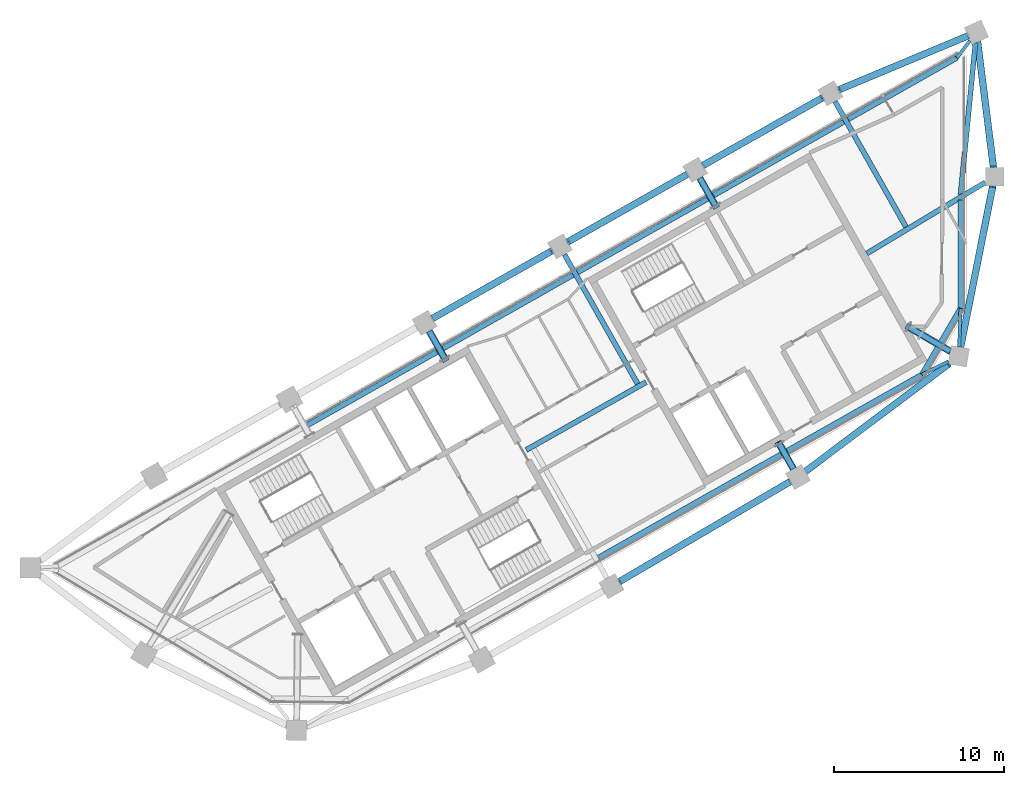
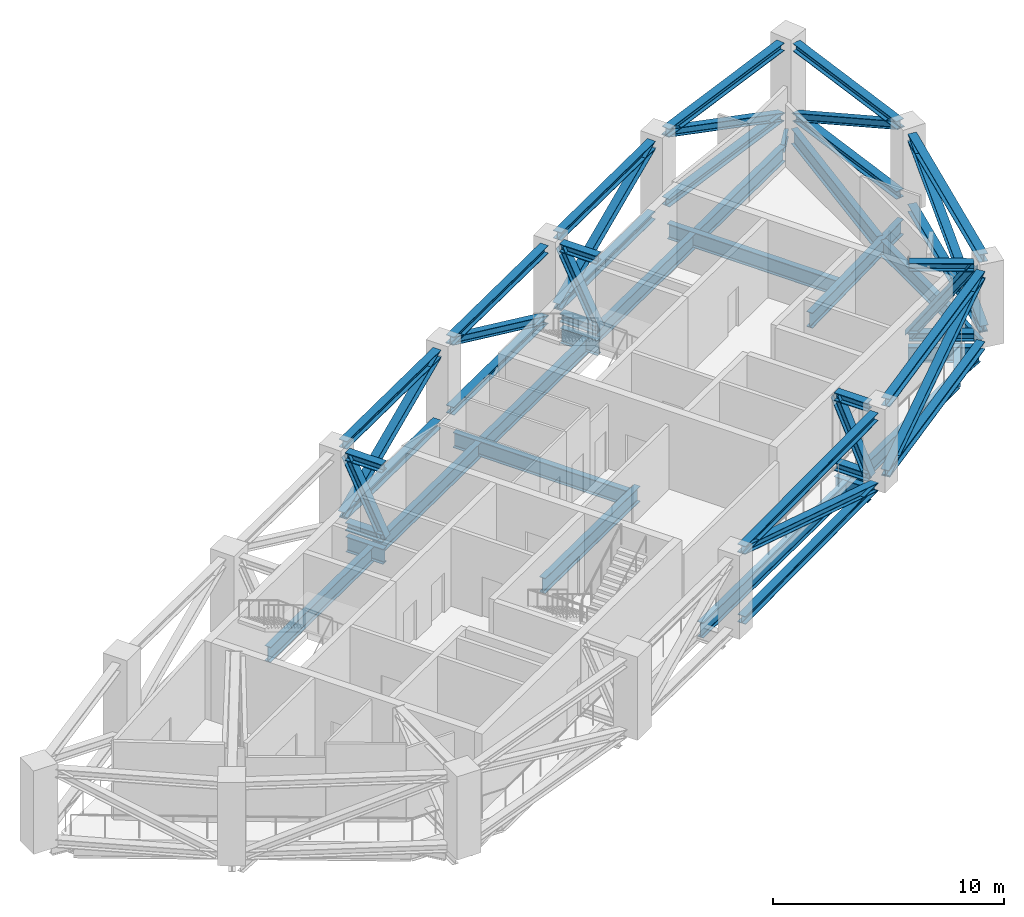
# One storey, part 2 of 10: 36 members, 22 beams.
"""IFC4 building model written with IfcOpenShell, lengths in metres."""

from ifc_helpers import new_model, si_unit, direction, frame, origin, origin_2d, place, context, subcontext, project, spatial, i_section, extrude, material, material_profile, profile_set, type_object, element, save


model = new_model("IFC4")

# Units and contexts
model_context = context("Model", 3, precision=1e-05, world=origin(), true_north=direction((0.0, 1.0)))
body_context = subcontext(model_context, "Body", "Model", "MODEL_VIEW")
ifc_project = project(units=[si_unit("LENGTHUNIT", "METRE"), si_unit("AREAUNIT", "SQUARE_METRE"), si_unit("VOLUMEUNIT", "CUBIC_METRE"), si_unit("PLANEANGLEUNIT", "RADIAN"), si_unit("MASSUNIT", "GRAM", prefix="KILO")], contexts=[model_context])

# Site, building, storey
site_placement = place(None, origin())
site = spatial("IfcSite", under=ifc_project, at=site_placement, CompositionType="ELEMENT")
building_placement = place(site_placement, origin())
building = spatial("IfcBuilding", under=site, at=building_placement, Name="Binnacle Exchange Tower", CompositionType="ELEMENT")
storey_placement = place(building_placement, frame((0.0, 0.0, 312.10009765625)))
storey = spatial("IfcBuildingStorey", under=building, at=storey_placement, Name="L70", CompositionType="ELEMENT", Elevation=312.10009765625)

# Members
ifc_material = material(Name="Steel S355 (SHN355)", Category="steel")
ifc_material_profile_1 = material_profile(ifc_material, i_section(OverallWidth=0.405029296875, OverallDepth=0.4140625, WebThickness=0.01806640625, FlangeThickness=0.028076171875, FilletRadius=0.02197265625, at=origin_2d()), Name="H 414x405x18x28")
ifc_profile_set_1 = profile_set([ifc_material_profile_1], Name="Steel S355 (SHN355)")
member_type_1 = type_object("IfcMemberType", Name="Belt truss chord BT70C H 414x405x18x28 Steel S355 (SHN355)", PredefinedType="CHORD", material=ifc_profile_set_1)
for number, where, z_axis, x_axis, name in (
    (1, (-2.84765625, 49.9951171875, 3.912841796875), (0.195814210945, 0.980641012191, 0.0), (-0.980641012191, 0.195814210945, 0.0), "S:TR:L70:BEL:001"),
    (2, (-2.84765625, 49.9951171875, 0.206787109375), (0.195814210945, 0.980641012191, 0.0), (-0.980641012191, 0.195814210945, 0.0), "S:TR:L70:BEL:002"),
):
    element("IfcMember", number, at=place(storey_placement, frame(where, z_axis=z_axis, x_axis=x_axis)), inside=storey, type_object=member_type_1, Name=name, PredefinedType="CHORD", context=body_context, shape_type="SweptSolid", body=[
        extrude(i_section(OverallWidth=0.405029296875, OverallDepth=0.4140625, WebThickness=0.01806640625, FlangeThickness=0.028076171875, FilletRadius=0.02197265625, at=origin_2d()), origin(), (0.0, 0.0, 1.0), 9.6416015625),
    ])
for number, where, z_axis, x_axis, name in (
    (3, (-0.91943359375, 60.550048828125, 3.912841796875), (-0.125160121745, 0.992136555079, 0.0), (-0.992136555079, -0.125160121745, 0.0), "S:TR:L70:BEL:004"),
    (4, (-0.91943359375, 60.550048828125, 0.206787109375), (-0.125160121745, 0.992136555079, 0.0), (-0.992136555079, -0.125160121745, 0.0), "S:TR:L70:BEL:005"),
):
    element("IfcMember", number, at=place(storey_placement, frame(where, z_axis=z_axis, x_axis=x_axis)), inside=storey, type_object=member_type_1, Name=name, PredefinedType="CHORD", context=body_context, shape_type="SweptSolid", body=[
        extrude(i_section(OverallWidth=0.405029296875, OverallDepth=0.4140625, WebThickness=0.01806640625, FlangeThickness=0.028076171875, FilletRadius=0.02197265625, at=origin_2d()), origin(), (0.0, 0.0, 1.0), 7.422119140625),
    ])
for number, where, z_axis, x_axis, name in (
    (5, (-2.427734375, 68.271240234375, 3.912841796875), (-0.922746687756, -0.385406992977, 0.0), (0.385406992977, -0.922746687756, 0.0), "S:TR:L70:BEL:007"),
    (6, (-2.427734375, 68.271240234375, 0.206787109375), (-0.922746687756, -0.385406992977, 0.0), (0.385406992977, -0.922746687756, 0.0), "S:TR:L70:BEL:008"),
):
    element("IfcMember", number, at=place(storey_placement, frame(where, z_axis=z_axis, x_axis=x_axis)), inside=storey, type_object=member_type_1, Name=name, PredefinedType="CHORD", context=body_context, shape_type="SweptSolid", body=[
        extrude(i_section(OverallWidth=0.405029296875, OverallDepth=0.4140625, WebThickness=0.01806640625, FlangeThickness=0.028076171875, FilletRadius=0.02197265625, at=origin_2d()), origin(), (0.0, 0.0, 1.0), 8.188720703125),
    ])
for number, where, z_axis, x_axis, name in (
    (7, (-10.973876953125, 64.630859375, 3.912841796875), (-0.870353240257, -0.492427900482, 0.0), (0.492427900482, -0.870353240257, 0.0), "S:TR:L70:BEL:010"),
    (8, (-10.973876953125, 64.630859375, 0.206787109375), (-0.870353240257, -0.492427900482, 0.0), (0.492427900482, -0.870353240257, 0.0), "S:TR:L70:BEL:011"),
):
    element("IfcMember", number, at=place(storey_placement, frame(where, z_axis=z_axis, x_axis=x_axis)), inside=storey, type_object=member_type_1, Name=name, PredefinedType="CHORD", context=body_context, shape_type="SweptSolid", body=[
        extrude(i_section(OverallWidth=0.405029296875, OverallDepth=0.4140625, WebThickness=0.01806640625, FlangeThickness=0.028076171875, FilletRadius=0.02197265625, at=origin_2d()), origin(), (0.0, 0.0, 1.0), 8.02978515625),
    ])
for number, where, z_axis, x_axis, name in (
    (9, (-18.919921875, 60.13525390625, 3.912841796875), (-0.870347582166, -0.492437900875, 0.0), (0.492437900875, -0.870347582166, 0.0), "S:TR:L70:BEL:013"),
    (10, (-18.919921875, 60.13525390625, 0.206787109375), (-0.870347582166, -0.492437900875, 0.0), (0.492437900875, -0.870347582166, 0.0), "S:TR:L70:BEL:014"),
):
    element("IfcMember", number, at=place(storey_placement, frame(where, z_axis=z_axis, x_axis=x_axis)), inside=storey, type_object=member_type_1, Name=name, PredefinedType="CHORD", context=body_context, shape_type="SweptSolid", body=[
        extrude(i_section(OverallWidth=0.405029296875, OverallDepth=0.4140625, WebThickness=0.01806640625, FlangeThickness=0.028076171875, FilletRadius=0.02197265625, at=origin_2d()), origin(), (0.0, 0.0, 1.0), 8.030029296875),
    ])
for number, where, z_axis, x_axis, name in (
    (11, (-26.8662109375, 55.639404296875, 3.912841796875), (-0.870353240257, -0.492427900482, 0.0), (0.492427900482, -0.870353240257, 0.0), "S:TR:L70:BEL:016"),
    (12, (-26.8662109375, 55.639404296875, 0.206787109375), (-0.870353240257, -0.492427900482, 0.0), (0.492427900482, -0.870353240257, 0.0), "S:TR:L70:BEL:017"),
):
    element("IfcMember", number, at=place(storey_placement, frame(where, z_axis=z_axis, x_axis=x_axis)), inside=storey, type_object=member_type_1, Name=name, PredefinedType="CHORD", context=body_context, shape_type="SweptSolid", body=[
        extrude(i_section(OverallWidth=0.405029296875, OverallDepth=0.4140625, WebThickness=0.01806640625, FlangeThickness=0.028076171875, FilletRadius=0.02197265625, at=origin_2d()), origin(), (0.0, 0.0, 1.0), 8.02978515625),
    ])
for number, where, z_axis, x_axis, name in (
    (13, (-22.88134765625, 36.22412109375, 3.912841796875), (0.86288572191, 0.50539908085, 0.0), (-0.50539908085, 0.86288572191, 0.0), "S:TR:L70:BEL:040"),
    (14, (-22.88134765625, 36.22412109375, 0.206787109375), (0.86288572191, 0.50539908085, 0.0), (-0.50539908085, 0.86288572191, 0.0), "S:TR:L70:BEL:041"),
):
    element("IfcMember", number, at=place(storey_placement, frame(where, z_axis=z_axis, x_axis=x_axis)), inside=storey, type_object=member_type_1, Name=name, PredefinedType="CHORD", context=body_context, shape_type="SweptSolid", body=[
        extrude(i_section(OverallWidth=0.405029296875, OverallDepth=0.4140625, WebThickness=0.01806640625, FlangeThickness=0.028076171875, FilletRadius=0.02197265625, at=origin_2d()), origin(), (0.0, 0.0, 1.0), 11.596923828125),
    ])
for number, where, z_axis, x_axis, name in (
    (15, (-11.95654296875, 42.6962890625, 3.912841796875), (0.799642767002, 0.600476015493, 0.0), (-0.600476015493, 0.799642767002, 0.0), "S:TR:L70:BEL:043"),
    (16, (-11.95654296875, 42.6962890625, 0.206787109375), (0.799642767002, 0.600476015493, 0.0), (-0.600476015493, 0.799642767002, 0.0), "S:TR:L70:BEL:044"),
):
    element("IfcMember", number, at=place(storey_placement, frame(where, z_axis=z_axis, x_axis=x_axis)), inside=storey, type_object=member_type_1, Name=name, PredefinedType="CHORD", context=body_context, shape_type="SweptSolid", body=[
        extrude(i_section(OverallWidth=0.405029296875, OverallDepth=0.4140625, WebThickness=0.01806640625, FlangeThickness=0.028076171875, FilletRadius=0.02197265625, at=origin_2d()), origin(), (0.0, 0.0, 1.0), 10.50146484375),
    ])
ifc_material_profile_2 = material_profile(ifc_material, i_section(OverallWidth=0.39794921875, OverallDepth=0.39404296875, WebThickness=0.010986328125, FlangeThickness=0.01806640625, FilletRadius=0.02197265625, at=origin_2d()), Name="H 394x398x11x18")
ifc_profile_set_2 = profile_set([ifc_material_profile_2], Name="Steel S355 (SHN355)")
member_type_2 = type_object("IfcMemberType", Name="Belt truss diagonal BT70D H 394x398x11x18 Steel S355 (SHN355)", PredefinedType="BRACE", material=ifc_profile_set_2)
member_1_placement = place(storey_placement, frame((-2.84765625, 49.9951171875, 0.206787109375), z_axis=(0.182776355131, 0.915347200976, 0.358792845065), x_axis=(-0.980641012191, 0.195814210945, 0.0)))
element("IfcMember", 17, at=member_1_placement, inside=storey, type_object=member_type_2, Name="S:TR:L70:BEL:003", PredefinedType="BRACE", context=body_context, shape_type="SweptSolid", body=[
    extrude(i_section(OverallWidth=0.39794921875, OverallDepth=0.39404296875, WebThickness=0.010986328125, FlangeThickness=0.01806640625, FilletRadius=0.02197265625, at=origin_2d()), origin(), (0.0, 0.0, 1.0), 10.329345703125),
])
member_2_placement = place(storey_placement, frame((-0.91943359375, 60.550048828125, 3.912841796875), z_axis=(-0.111976845023, 0.88763353471, -0.446730225346), x_axis=(-0.992136555079, -0.125160121745, 0.0)))
element("IfcMember", 18, at=member_2_placement, inside=storey, type_object=member_type_2, Name="S:TR:L70:BEL:006", PredefinedType="BRACE", context=body_context, shape_type="SweptSolid", body=[
    extrude(i_section(OverallWidth=0.39794921875, OverallDepth=0.39404296875, WebThickness=0.010986328125, FlangeThickness=0.01806640625, FilletRadius=0.02197265625, at=origin_2d()), origin(), (0.0, 0.0, 1.0), 8.2958984375),
])
member_3_placement = place(storey_placement, frame((-2.427734375, 68.271240234375, 0.206787109375), z_axis=(-0.840659542963, -0.35112135418, 0.41231702301), x_axis=(0.385406992977, -0.922746687756, 0.0)))
element("IfcMember", 19, at=member_3_placement, inside=storey, type_object=member_type_2, Name="S:TR:L70:BEL:009", PredefinedType="BRACE", context=body_context, shape_type="SweptSolid", body=[
    extrude(i_section(OverallWidth=0.39794921875, OverallDepth=0.39404296875, WebThickness=0.010986328125, FlangeThickness=0.01806640625, FilletRadius=0.02197265625, at=origin_2d()), origin(), (0.0, 0.0, 1.0), 8.98828125),
])
member_4_placement = place(storey_placement, frame((-10.973876953125, 64.630859375, 3.912841796875), z_axis=(-0.790245789497, -0.447104758146, -0.419057188729), x_axis=(0.492427900482, -0.870353240257, 0.0)))
element("IfcMember", 20, at=member_4_placement, inside=storey, type_object=member_type_2, Name="S:TR:L70:BEL:012", PredefinedType="BRACE", context=body_context, shape_type="SweptSolid", body=[
    extrude(i_section(OverallWidth=0.39794921875, OverallDepth=0.39404296875, WebThickness=0.010986328125, FlangeThickness=0.01806640625, FilletRadius=0.02197265625, at=origin_2d()), origin(), (0.0, 0.0, 1.0), 8.84375),
])
member_5_placement = place(storey_placement, frame((-18.919921875, 60.13525390625, 0.206787109375), z_axis=(-0.79024640188, -0.447117091251, 0.419042874927), x_axis=(0.492437900875, -0.870347582166, 0.0)))
element("IfcMember", 21, at=member_5_placement, inside=storey, type_object=member_type_2, Name="S:TR:L70:BEL:015", PredefinedType="BRACE", context=body_context, shape_type="SweptSolid", body=[
    extrude(i_section(OverallWidth=0.39794921875, OverallDepth=0.39404296875, WebThickness=0.010986328125, FlangeThickness=0.01806640625, FilletRadius=0.02197265625, at=origin_2d()), origin(), (0.0, 0.0, 1.0), 8.843994140625),
])
member_6_placement = place(storey_placement, frame((-26.8662109375, 55.639404296875, 3.912841796875), z_axis=(-0.790245789497, -0.447104758146, -0.419057188729), x_axis=(0.492427900482, -0.870353240257, 0.0)))
element("IfcMember", 22, at=member_6_placement, inside=storey, type_object=member_type_2, Name="S:TR:L70:BEL:018", PredefinedType="BRACE", context=body_context, shape_type="SweptSolid", body=[
    extrude(i_section(OverallWidth=0.39794921875, OverallDepth=0.39404296875, WebThickness=0.010986328125, FlangeThickness=0.01806640625, FilletRadius=0.02197265625, at=origin_2d()), origin(), (0.0, 0.0, 1.0), 8.84375),
])
member_7_placement = place(storey_placement, frame((-22.88134765625, 36.22412109375, 3.912841796875), z_axis=(0.821935320542, 0.48141410267, -0.304405634962), x_axis=(-0.50539908085, 0.86288572191, 0.0)))
element("IfcMember", 23, at=member_7_placement, inside=storey, type_object=member_type_2, Name="S:TR:L70:BEL:042", PredefinedType="BRACE", context=body_context, shape_type="SweptSolid", body=[
    extrude(i_section(OverallWidth=0.39794921875, OverallDepth=0.39404296875, WebThickness=0.010986328125, FlangeThickness=0.01806640625, FilletRadius=0.02197265625, at=origin_2d()), origin(), (0.0, 0.0, 1.0), 12.1748046875),
])
member_8_placement = place(storey_placement, frame((-11.95654296875, 42.6962890625, 0.206787109375), z_axis=(0.7540635698, 0.566249213408, 0.332791167274), x_axis=(-0.600476015493, 0.799642767002, 0.0)))
element("IfcMember", 24, at=member_8_placement, inside=storey, type_object=member_type_2, Name="S:TR:L70:BEL:045", PredefinedType="BRACE", context=body_context, shape_type="SweptSolid", body=[
    extrude(i_section(OverallWidth=0.39794921875, OverallDepth=0.39404296875, WebThickness=0.010986328125, FlangeThickness=0.01806640625, FilletRadius=0.02197265625, at=origin_2d()), origin(), (0.0, 0.0, 1.0), 11.13623046875),
])

# Beams
ifc_material_profile_3 = material_profile(ifc_material, i_section(OverallWidth=0.300048828125, OverallDepth=0.800048828125, WebThickness=0.013916015625, FlangeThickness=0.02587890625, FilletRadius=0.028076171875, at=origin_2d()), Name="H 800x300x14x26")
ifc_profile_set_3 = profile_set([ifc_material_profile_3], Name="Steel S355 (SHN355)")
beam_type_1 = type_object("IfcBeamType", Name="Edge girder H 800x300x14x26 Steel S355 (SHN355)", PredefinedType="SPANDREL", material=ifc_profile_set_3)
beam_1_placement = place(storey_placement, frame((-41.24365234375, 45.390869140625, -0.75), z_axis=(0.870348532608, 0.492436221035, 0.0), x_axis=(-0.492436221035, 0.870348532608, 0.0)))
element("IfcBeam", 25, at=beam_1_placement, inside=storey, type_object=beam_type_1, Name="S:BM:edge:L70:008", PredefinedType="SPANDREL", context=body_context, shape_type="SweptSolid", body=[
    extrude(i_section(OverallWidth=0.300048828125, OverallDepth=0.800048828125, WebThickness=0.013916015625, FlangeThickness=0.02587890625, FilletRadius=0.028076171875, at=origin_2d()), origin(), (0.0, 0.0, 1.0), 8.829833984375),
])
for number, where, z_axis, x_axis, name in (
    (26, (-33.29736328125, 49.88671875, -0.75), (0.870355237169, 0.492424370977, 0.0), (-0.492424370977, 0.870355237169, 0.0), "S:BM:edge:L70:010"),
    (27, (-25.35107421875, 54.382568359375, -0.75), (0.870355237169, 0.492424370977, 0.0), (-0.492424370977, 0.870355237169, 0.0), "S:BM:edge:L70:012"),
    (28, (-17.40478515625, 58.87841796875, -0.75), (0.870355237169, 0.492424370977, 0.0), (-0.492424370977, 0.870355237169, 0.0), "S:BM:edge:L70:014"),
):
    element("IfcBeam", number, at=place(storey_placement, frame(where, z_axis=z_axis, x_axis=x_axis)), inside=storey, type_object=beam_type_1, Name=name, PredefinedType="SPANDREL", context=body_context, shape_type="SweptSolid", body=[
        extrude(i_section(OverallWidth=0.300048828125, OverallDepth=0.800048828125, WebThickness=0.013916015625, FlangeThickness=0.02587890625, FilletRadius=0.028076171875, at=origin_2d()), origin(), (0.0, 0.0, 1.0), 8.830078125),
    ])
beam_2_placement = place(storey_placement, frame((-13.34326171875, 43.725341796875, -0.75), z_axis=(-0.87035035676, -0.492432996953, 0.0), x_axis=(0.492432996953, -0.87035035676, 0.0)))
element("IfcBeam", 29, at=beam_2_placement, inside=storey, type_object=beam_type_1, Name="S:BM:edge:L70:015", PredefinedType="SPANDREL", context=body_context, shape_type="SweptSolid", body=[
    extrude(i_section(OverallWidth=0.300048828125, OverallDepth=0.800048828125, WebThickness=0.013916015625, FlangeThickness=0.02587890625, FilletRadius=0.028076171875, at=origin_2d()), origin(), (0.0, 0.0, 1.0), 12.39501953125),
])
beam_3_placement = place(storey_placement, frame((-9.458251953125, 63.374267578125, -0.75), z_axis=(0.870357156226, 0.492420979047, 0.0), x_axis=(-0.492420979047, 0.870357156226, 0.0)))
element("IfcBeam", 30, at=beam_3_placement, inside=storey, type_object=beam_type_1, Name="S:BM:edge:L70:016", PredefinedType="SPANDREL", context=body_context, shape_type="SweptSolid", body=[
    extrude(i_section(OverallWidth=0.300048828125, OverallDepth=0.800048828125, WebThickness=0.013916015625, FlangeThickness=0.02587890625, FilletRadius=0.028076171875, at=origin_2d()), origin(), (0.0, 0.0, 1.0), 7.34228515625),
])
beam_4_placement = place(storey_placement, frame((-5.1201171875, 48.377685546875, -0.75), z_axis=(-0.870355488249, -0.492423927195, 0.0), x_axis=(0.492423927195, -0.870355488249, 0.0)))
element("IfcBeam", 31, at=beam_4_placement, inside=storey, type_object=beam_type_1, Name="S:BM:edge:L70:017", PredefinedType="SPANDREL", context=body_context, shape_type="SweptSolid", body=[
    extrude(i_section(OverallWidth=0.300048828125, OverallDepth=0.800048828125, WebThickness=0.013916015625, FlangeThickness=0.02587890625, FilletRadius=0.028076171875, at=origin_2d()), origin(), (0.0, 0.0, 1.0), 9.14794921875),
])
beam_5_placement = place(storey_placement, frame((-4.177490234375, 49.994140625, -0.75), z_axis=(-0.503749337532, -0.863849874073, 0.0), x_axis=(0.863849874073, -0.503749337532, 0.0)))
element("IfcBeam", 32, at=beam_5_placement, inside=storey, type_object=beam_type_1, Name="S:BM:edge:L70:018", PredefinedType="SPANDREL", context=body_context, shape_type="SweptSolid", body=[
    extrude(i_section(OverallWidth=0.300048828125, OverallDepth=0.800048828125, WebThickness=0.013916015625, FlangeThickness=0.02587890625, FilletRadius=0.028076171875, at=origin_2d()), origin(), (0.0, 0.0, 1.0), 1.871337890625),
])
beam_6_placement = place(storey_placement, frame((-2.85009765625, 52.270263671875, -0.75), z_axis=(-0.503799507081, -0.863820616022, 0.0), x_axis=(0.863820616022, -0.503799507081, 0.0)))
element("IfcBeam", 33, at=beam_6_placement, inside=storey, type_object=beam_type_1, Name="S:BM:edge:L70:019", PredefinedType="SPANDREL", context=body_context, shape_type="SweptSolid", body=[
    extrude(i_section(OverallWidth=0.300048828125, OverallDepth=0.800048828125, WebThickness=0.013916015625, FlangeThickness=0.02587890625, FilletRadius=0.028076171875, at=origin_2d()), origin(), (0.0, 0.0, 1.0), 2.334716796875),
])
beam_7_placement = place(storey_placement, frame((-2.85009765625, 58.6494140625, -0.75), z_axis=(0.0, -1.0, 0.0), x_axis=(1.0, 0.0, 0.0)))
element("IfcBeam", 34, at=beam_7_placement, inside=storey, type_object=beam_type_1, Name="S:BM:edge:L70:020", PredefinedType="SPANDREL", context=body_context, shape_type="SweptSolid", body=[
    extrude(i_section(OverallWidth=0.300048828125, OverallDepth=0.800048828125, WebThickness=0.013916015625, FlangeThickness=0.02587890625, FilletRadius=0.028076171875, at=origin_2d()), origin(), (0.0, 0.0, 1.0), 6.379150390625),
])
beam_8_placement = place(storey_placement, frame((-1.9814453125, 67.85498046875, -0.75), z_axis=(-0.097080187835, -0.995276563137, 0.0), x_axis=(0.995276563137, -0.097080187835, 0.0)))
element("IfcBeam", 35, at=beam_8_placement, inside=storey, type_object=beam_type_1, Name="S:BM:edge:L70:021", PredefinedType="SPANDREL", context=body_context, shape_type="SweptSolid", body=[
    extrude(i_section(OverallWidth=0.300048828125, OverallDepth=0.800048828125, WebThickness=0.013916015625, FlangeThickness=0.02587890625, FilletRadius=0.028076171875, at=origin_2d()), origin(), (0.0, 0.0, 1.0), 8.94775390625),
])
ifc_material_profile_4 = material_profile(ifc_material, i_section(OverallWidth=0.199951171875, OverallDepth=0.39990234375, WebThickness=0.008056640625, FlangeThickness=0.012939453125, FilletRadius=0.01611328125, at=origin_2d()), Name="H 400x200x8x13")
ifc_profile_set_4 = profile_set([ifc_material_profile_4], Name="Steel S355 (SHN355)")
beam_type_2 = type_object("IfcBeamType", Name="Floor beam H 400x200x8x13 Steel S355 (SHN355)", PredefinedType="BEAM", material=ifc_profile_set_4)
beam_9_placement = place(storey_placement, frame((-3.56640625, 49.151123046875, -0.550048828125), z_axis=(-0.895213546339, -0.445637415902, 0.0), x_axis=(0.445637415902, -0.895213546339, 0.0)))
element("IfcBeam", 36, at=beam_9_placement, inside=storey, type_object=beam_type_2, Name="S:BM:cross:L70:036", PredefinedType="BEAM", context=body_context, shape_type="SweptSolid", body=[
    extrude(i_section(OverallWidth=0.199951171875, OverallDepth=0.39990234375, WebThickness=0.008056640625, FlangeThickness=0.012939453125, FilletRadius=0.01611328125, at=origin_2d()), origin(), (0.0, 0.0, 1.0), 1.735595703125),
])
beam_10_placement = place(storey_placement, frame((-2.9345703125, 50.010009765625, -0.550048828125), z_axis=(0.037347009673, 0.999302357081, 0.0), x_axis=(-0.999302357081, 0.037347009673, 0.0)))
element("IfcBeam", 37, at=beam_10_placement, inside=storey, type_object=beam_type_2, Name="S:BM:cross:L70:038", PredefinedType="BEAM", context=body_context, shape_type="SweptSolid", body=[
    extrude(i_section(OverallWidth=0.199951171875, OverallDepth=0.39990234375, WebThickness=0.008056640625, FlangeThickness=0.012939453125, FilletRadius=0.01611328125, at=origin_2d()), origin(), (0.0, 0.0, 1.0), 2.26171875),
])
beam_11_placement = place(storey_placement, frame((-2.302001953125, 67.986328125, -0.550048828125), z_axis=(-0.609344592108, -0.792905522788, 0.0), x_axis=(0.792905522788, -0.609344592108, 0.0)))
element("IfcBeam", 38, at=beam_11_placement, inside=storey, type_object=beam_type_2, Name="S:BM:cross:L70:039", PredefinedType="BEAM", context=body_context, shape_type="SweptSolid", body=[
    extrude(i_section(OverallWidth=0.199951171875, OverallDepth=0.39990234375, WebThickness=0.008056640625, FlangeThickness=0.012939453125, FilletRadius=0.01611328125, at=origin_2d()), origin(), (0.0, 0.0, 1.0), 1.2568359375),
])
ifc_material_profile_5 = material_profile(ifc_material, i_section(OverallWidth=0.300048828125, OverallDepth=0.800048828125, WebThickness=0.013916015625, FlangeThickness=0.02587890625, FilletRadius=0.028076171875, at=origin_2d()), Name="H 800x300x14x26")
ifc_profile_set_5 = profile_set([ifc_material_profile_5], Name="Steel S355 (SHN355)")
beam_type_3 = type_object("IfcBeamType", Name="Floor beam H 800x300x14x26 Steel S355 (SHN355)", PredefinedType="BEAM", material=ifc_profile_set_5)
beam_12_placement = place(storey_placement, frame((-34.06298828125, 50.935791015625, -0.75), z_axis=(0.492437150105, -0.870348006947, 0.0), x_axis=(0.870348006947, 0.492437150105, 0.0)))
element("IfcBeam", 39, at=beam_12_placement, inside=storey, type_object=beam_type_3, Name="S:BM:cross:L70:029", PredefinedType="BEAM", context=body_context, shape_type="SweptSolid", body=[
    extrude(i_section(OverallWidth=0.300048828125, OverallDepth=0.800048828125, WebThickness=0.013916015625, FlangeThickness=0.02587890625, FilletRadius=0.028076171875, at=origin_2d()), origin(), (0.0, 0.0, 1.0), 1.884521484375),
])
beam_13_placement = place(storey_placement, frame((-18.17041015625, 59.92724609375, -0.75), z_axis=(0.492394529663, -0.870372119934, 0.0), x_axis=(0.870372119934, 0.492394529663, 0.0)))
element("IfcBeam", 40, at=beam_13_placement, inside=storey, type_object=beam_type_3, Name="S:BM:cross:L70:033", PredefinedType="BEAM", context=body_context, shape_type="SweptSolid", body=[
    extrude(i_section(OverallWidth=0.300048828125, OverallDepth=0.800048828125, WebThickness=0.013916015625, FlangeThickness=0.02587890625, FilletRadius=0.028076171875, at=origin_2d()), origin(), (0.0, 0.0, 1.0), 1.884033203125),
])
beam_14_placement = place(storey_placement, frame((-12.6708984375, 42.841796875, -0.75), z_axis=(-0.492394350893, 0.870372221069, 0.0), x_axis=(-0.870372221069, -0.492394350893, 0.0)))
element("IfcBeam", 41, at=beam_14_placement, inside=storey, type_object=beam_type_3, Name="S:BM:cross:L70:034", PredefinedType="BEAM", context=body_context, shape_type="SweptSolid", body=[
    extrude(i_section(OverallWidth=0.300048828125, OverallDepth=0.800048828125, WebThickness=0.013916015625, FlangeThickness=0.02587890625, FilletRadius=0.028076171875, at=origin_2d()), origin(), (0.0, 0.0, 1.0), 1.6943359375),
])
beam_15_placement = place(storey_placement, frame((-3.46240234375, 49.751220703125, -0.75), z_axis=(-0.863840862356, 0.503764790874, 0.0), x_axis=(-0.503764790874, -0.863840862356, 0.0)))
element("IfcBeam", 42, at=beam_15_placement, inside=storey, type_object=beam_type_3, Name="S:BM:cross:L70:037", PredefinedType="BEAM", context=body_context, shape_type="SweptSolid", body=[
    extrude(i_section(OverallWidth=0.300048828125, OverallDepth=0.800048828125, WebThickness=0.013916015625, FlangeThickness=0.02587890625, FilletRadius=0.028076171875, at=origin_2d()), origin(), (0.0, 0.0, 1.0), 2.85791015625),
])
ifc_material_profile_6 = material_profile(ifc_material, i_section(OverallWidth=0.302001953125, OverallDepth=0.80810546875, WebThickness=0.01611328125, FlangeThickness=0.030029296875, FilletRadius=0.028076171875, at=origin_2d()), Name="H 808x302x16x30")
ifc_profile_set_6 = profile_set([ifc_material_profile_6], Name="Steel S355 (SHN355)")
beam_type_4 = type_object("IfcBeamType", Name="Floor beam H 808x302x16x30 Steel S355 (SHN355)", PredefinedType="BEAM", material=ifc_profile_set_6)
beam_16_placement = place(storey_placement, frame((-26.11669921875, 55.431396484375, -0.754150390625), z_axis=(0.492413671625, -0.870361290497, 0.0), x_axis=(0.870361290497, 0.492413671625, 0.0)))
element("IfcBeam", 43, at=beam_16_placement, inside=storey, type_object=beam_type_4, Name="S:BM:cross:L70:031", PredefinedType="BEAM", context=body_context, shape_type="SweptSolid", body=[
    extrude(i_section(OverallWidth=0.302001953125, OverallDepth=0.80810546875, WebThickness=0.01611328125, FlangeThickness=0.030029296875, FilletRadius=0.028076171875, at=origin_2d()), origin(), (0.0, 0.0, 1.0), 8.734130859375),
])
beam_17_placement = place(storey_placement, frame((-10.224365234375, 64.423095703125, -0.754150390625), z_axis=(0.492424798966, -0.870354995024, 0.0), x_axis=(0.870354995024, 0.492424798966, 0.0)))
element("IfcBeam", 44, at=beam_17_placement, inside=storey, type_object=beam_type_4, Name="S:BM:cross:L70:035", PredefinedType="BEAM", context=body_context, shape_type="SweptSolid", body=[
    extrude(i_section(OverallWidth=0.302001953125, OverallDepth=0.80810546875, WebThickness=0.01611328125, FlangeThickness=0.030029296875, FilletRadius=0.028076171875, at=origin_2d()), origin(), (0.0, 0.0, 1.0), 8.4697265625),
])

# Members
ifc_material_profile_7 = material_profile(ifc_material, i_section(OverallWidth=0.406982421875, OverallDepth=0.427978515625, WebThickness=0.02001953125, FlangeThickness=0.034912109375, FilletRadius=0.02197265625, at=origin_2d()), Name="H 428x407x20x35")
ifc_profile_set_7 = profile_set([ifc_material_profile_7], Name="Steel S355 (SHN355)")
member_type_3 = type_object("IfcMemberType", Name="Outrigger truss chord OT70C H 428x407x20x35 Steel S355 (SHN355)", PredefinedType="CHORD", material=ifc_profile_set_7)
for number, where, z_axis, x_axis, name in (
    (45, (-34.06298828125, 50.935791015625, 3.906005859375), (0.492427970541, -0.87035320062, 0.0), (0.87035320062, 0.492427970541, 0.0), "S:TR:L70:OUT:055"),
    (46, (-34.06298828125, 50.935791015625, 0.2138671875), (0.492427970541, -0.87035320062, 0.0), (0.87035320062, 0.492427970541, 0.0), "S:TR:L70:OUT:056"),
    (47, (-18.17041015625, 59.92724609375, 3.906005859375), (0.492427970541, -0.87035320062, 0.0), (0.87035320062, 0.492427970541, 0.0), "S:TR:L70:OUT:061"),
    (48, (-18.17041015625, 59.92724609375, 0.2138671875), (0.492427970541, -0.87035320062, 0.0), (0.87035320062, 0.492427970541, 0.0), "S:TR:L70:OUT:062"),
):
    element("IfcMember", number, at=place(storey_placement, frame(where, z_axis=z_axis, x_axis=x_axis)), inside=storey, type_object=member_type_3, Name=name, PredefinedType="CHORD", context=body_context, shape_type="SweptSolid", body=[
        extrude(i_section(OverallWidth=0.406982421875, OverallDepth=0.427978515625, WebThickness=0.02001953125, FlangeThickness=0.034912109375, FilletRadius=0.02197265625, at=origin_2d()), origin(), (0.0, 0.0, 1.0), 1.84423828125),
    ])
for number, where, z_axis, x_axis, name in (
    (49, (-12.6708984375, 42.841796875, 3.906005859375), (-0.492383077126, 0.870378598864, 0.0), (-0.870378598864, -0.492383077126, 0.0), "S:TR:L70:OUT:064"),
    (50, (-12.6708984375, 42.841796875, 0.2138671875), (-0.492383077126, 0.870378598864, 0.0), (-0.870378598864, -0.492383077126, 0.0), "S:TR:L70:OUT:065"),
):
    element("IfcMember", number, at=place(storey_placement, frame(where, z_axis=z_axis, x_axis=x_axis)), inside=storey, type_object=member_type_3, Name=name, PredefinedType="CHORD", context=body_context, shape_type="SweptSolid", body=[
        extrude(i_section(OverallWidth=0.406982421875, OverallDepth=0.427978515625, WebThickness=0.02001953125, FlangeThickness=0.034912109375, FilletRadius=0.02197265625, at=origin_2d()), origin(), (0.0, 0.0, 1.0), 1.654052734375),
    ])
for number, where, z_axis, x_axis, name in (
    (51, (-3.46240234375, 49.751220703125, 3.906005859375), (-0.863848028983, 0.503752501555, 0.0), (-0.503752501555, -0.863848028983, 0.0), "S:TR:L70:OUT:067"),
    (52, (-3.46240234375, 49.751220703125, 0.2138671875), (-0.863848028983, 0.503752501555, 0.0), (-0.503752501555, -0.863848028983, 0.0), "S:TR:L70:OUT:068"),
):
    element("IfcMember", number, at=place(storey_placement, frame(where, z_axis=z_axis, x_axis=x_axis)), inside=storey, type_object=member_type_3, Name=name, PredefinedType="CHORD", context=body_context, shape_type="SweptSolid", body=[
        extrude(i_section(OverallWidth=0.406982421875, OverallDepth=0.427978515625, WebThickness=0.02001953125, FlangeThickness=0.034912109375, FilletRadius=0.02197265625, at=origin_2d()), origin(), (0.0, 0.0, 1.0), 2.817626953125),
    ])
ifc_material_profile_8 = material_profile(ifc_material, i_section(OverallWidth=0.403076171875, OverallDepth=0.406005859375, WebThickness=0.01611328125, FlangeThickness=0.02392578125, FilletRadius=0.02197265625, at=origin_2d()), Name="H 406x403x16x24")
ifc_profile_set_8 = profile_set([ifc_material_profile_8], Name="Steel S355 (SHN355)")
member_type_4 = type_object("IfcMemberType", Name="Outrigger truss diagonal OT70D H 406x403x16x24 Steel S355 (SHN355)", PredefinedType="BRACE", material=ifc_profile_set_8)
for number, where, z_axis, x_axis, name in (
    (53, (-34.06298828125, 50.935791015625, 3.906005859375), (0.220055114075, -0.388941498667, -0.894595024234), (0.87035320062, 0.492427970541, 0.0), "S:TR:L70:OUT:057"),
    (54, (-18.17041015625, 59.92724609375, 3.906005859375), (0.220055114075, -0.388941498667, -0.894595024234), (0.87035320062, 0.492427970541, 0.0), "S:TR:L70:OUT:063"),
):
    element("IfcMember", number, at=place(storey_placement, frame(where, z_axis=z_axis, x_axis=x_axis)), inside=storey, type_object=member_type_4, Name=name, PredefinedType="BRACE", context=body_context, shape_type="SweptSolid", body=[
        extrude(i_section(OverallWidth=0.403076171875, OverallDepth=0.406005859375, WebThickness=0.01611328125, FlangeThickness=0.02392578125, FilletRadius=0.02197265625, at=origin_2d()), origin(), (0.0, 0.0, 1.0), 4.127197265625),
    ])
member_9_placement = place(storey_placement, frame((-12.6708984375, 42.841796875, 0.2138671875), z_axis=(-0.201311668363, 0.355855787871, 0.912600827536), x_axis=(-0.870378598864, -0.492383077126, 0.0)))
element("IfcMember", 55, at=member_9_placement, inside=storey, type_object=member_type_4, Name="S:TR:L70:OUT:066", PredefinedType="BRACE", context=body_context, shape_type="SweptSolid", body=[
    extrude(i_section(OverallWidth=0.403076171875, OverallDepth=0.406005859375, WebThickness=0.01611328125, FlangeThickness=0.02392578125, FilletRadius=0.02197265625, at=origin_2d()), origin(), (0.0, 0.0, 1.0), 4.045654296875),
])
member_10_placement = place(storey_placement, frame((-3.46240234375, 49.751220703125, 3.906005859375), z_axis=(-0.524077713504, 0.30561562952, -0.794947568838), x_axis=(-0.503752501555, -0.863848028983, 0.0)))
element("IfcMember", 56, at=member_10_placement, inside=storey, type_object=member_type_4, Name="S:TR:L70:OUT:069", PredefinedType="BRACE", context=body_context, shape_type="SweptSolid", body=[
    extrude(i_section(OverallWidth=0.403076171875, OverallDepth=0.406005859375, WebThickness=0.01611328125, FlangeThickness=0.02392578125, FilletRadius=0.02197265625, at=origin_2d()), origin(), (0.0, 0.0, 1.0), 4.64453125),
])

# Beams
ifc_material_profile_9 = material_profile(ifc_material, i_section(OverallWidth=0.302001953125, OverallDepth=0.80810546875, WebThickness=0.01611328125, FlangeThickness=0.030029296875, FilletRadius=0.028076171875, at=origin_2d()), Name="H 808x302x16x30")
ifc_profile_set_9 = profile_set([ifc_material_profile_9], Name="Steel S355 (SHN355)")
beam_type_5 = type_object("IfcBeamType", Name="Spine girder H 808x302x16x30 Steel S355 (SHN355)", PredefinedType="BEAM", material=ifc_profile_set_9)
beam_18_placement = place(storey_placement, frame((-28.365478515625, 43.951416015625, -0.754150390625), z_axis=(0.870350319004, 0.492433063684, 0.0), x_axis=(-0.492433063684, 0.870350319004, 0.0)))
element("IfcBeam", 57, at=beam_18_placement, inside=storey, type_object=beam_type_5, Name="S:BM:spine:L70:002", PredefinedType="BEAM", context=body_context, shape_type="SweptSolid", body=[
    extrude(i_section(OverallWidth=0.302001953125, OverallDepth=0.80810546875, WebThickness=0.01611328125, FlangeThickness=0.030029296875, FilletRadius=0.028076171875, at=origin_2d()), origin(), (0.0, 0.0, 1.0), 8.0908203125),
])
beam_19_placement = place(storey_placement, frame((-8.36328125, 55.489990234375, -0.754150390625), z_axis=(0.857389464427, 0.514668151618, 0.0), x_axis=(-0.514668151618, 0.857389464427, 0.0)))
element("IfcBeam", 58, at=beam_19_placement, inside=storey, type_object=beam_type_5, Name="S:BM:spine:L70:003", PredefinedType="BEAM", context=body_context, shape_type="SweptSolid", body=[
    extrude(i_section(OverallWidth=0.302001953125, OverallDepth=0.80810546875, WebThickness=0.01611328125, FlangeThickness=0.030029296875, FilletRadius=0.028076171875, at=origin_2d()), origin(), (0.0, 0.0, 1.0), 8.12158203125),
])

save(model, "model.ifc")
